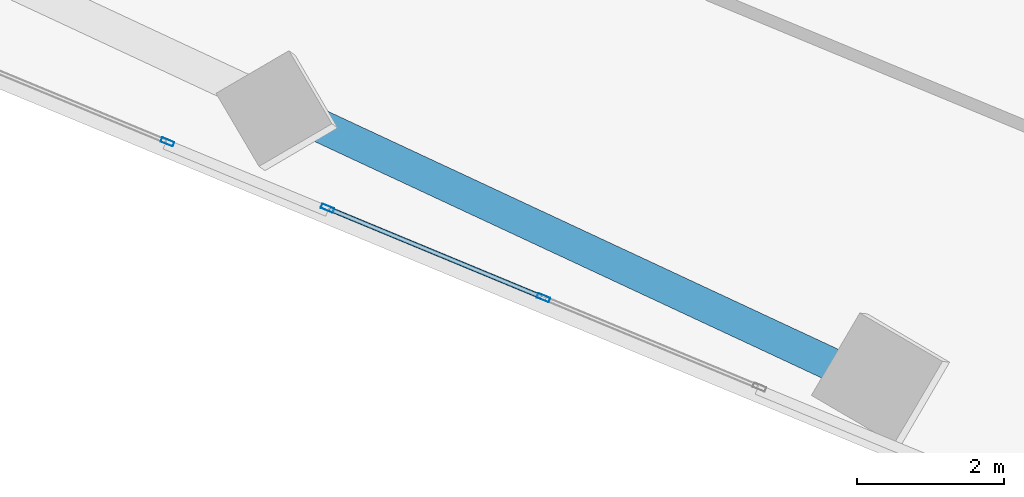
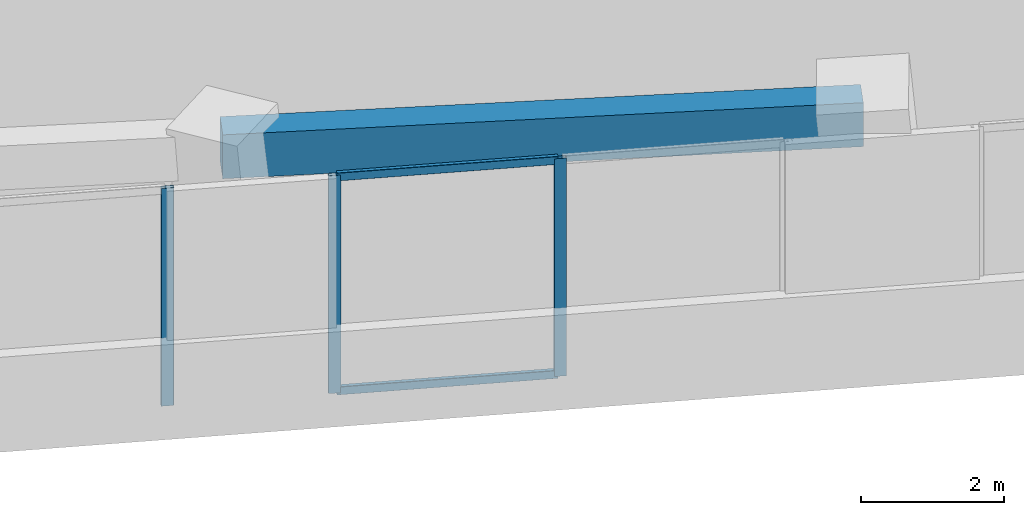
# One storey, part 2 of 22: 5 members, 1 beam, 2 elements without a shape of their own.
"""IFC4 building model written with IfcOpenShell, lengths in metres."""

from ifc_helpers import new_model, si_unit, direction, frame, origin, origin_2d, place, context, subcontext, project, spatial, rectangle, hollow_rectangle, extrude, source, transform, mapped, material, material_profile, profile_set, type_object, element, aggregate, save


model = new_model("IFC4")

# Units and contexts
model_context = context("Model", 3, precision=1e-05, world=origin(), true_north=direction((0.0, 1.0)))
body_context = subcontext(model_context, "Body", "Model", "MODEL_VIEW")
ifc_project = project(units=[si_unit("LENGTHUNIT", "METRE"), si_unit("AREAUNIT", "SQUARE_METRE"), si_unit("VOLUMEUNIT", "CUBIC_METRE"), si_unit("PLANEANGLEUNIT", "RADIAN"), si_unit("MASSUNIT", "GRAM", prefix="KILO")], contexts=[model_context])

# Site, building, storey
site_placement = place(None, origin())
site = spatial("IfcSite", under=ifc_project, at=site_placement, CompositionType="ELEMENT")
building_placement = place(site_placement, origin())
building = spatial("IfcBuilding", under=site, at=building_placement, Name="Torre Montelarca", CompositionType="ELEMENT")
storey_placement = place(building_placement, frame((0.0, 0.0, 149.800048828125)))
storey = spatial("IfcBuildingStorey", under=building, at=storey_placement, Name="L33", CompositionType="ELEMENT", Elevation=149.800048828125)

# Beam
ifc_material_1 = material(Name="Concrete C55/67", Category="concrete")
ifc_material_profile_1 = material_profile(ifc_material_1, rectangle(XDim=0.449951171875, YDim=0.75, at=origin_2d()), Name="RCB450X750", Category="concrete")
ifc_profile_set_1 = profile_set([ifc_material_profile_1], Name="Concrete C55/67")
beam_type = type_object("IfcBeamType", Name="BM-SP-RC750-EXT", PredefinedType="SPANDREL", material=ifc_profile_set_1)
shared_shape_1 = source(origin(), body_context, "Body", "SweptSolid", [
    extrude(rectangle(XDim=0.449951171875, YDim=0.75, at=origin_2d()), origin(), (0.0, 0.0, 1.0), 9.000244140625),
])
beam_placement = place(storey_placement, frame((11.058837890625, 17.890625, 3.5849609375), z_axis=(0.906316152515, -0.422600321452, 0.0), x_axis=(0.422600321452, 0.906316152515, 0.0)))
element("IfcBeam", 1, at=beam_placement, inside=storey, type_object=beam_type, Name="L33 Grid Girder X 18.0-27.0 at Y=14.8", PredefinedType="SPANDREL", context=body_context, shape_type="MappedRepresentation", body=[
    mapped(shared_shape_1, transform((0.0, 0.0, 0.0), scale=1.0)),
])

# Curtain wall, member
ifc_material_2 = material(Name="Insulated low-E laminated glass", Category="glass")
curtain_wall_type = type_object("IfcCurtainWallType", Name="CW-SYS-Z2", PredefinedType="USERDEFINED", material=ifc_material_2)
curtain_wall_1_placement = place(storey_placement, origin())
curtain_wall_1 = element("IfcCurtainWall", 2, at=curtain_wall_1_placement, inside=storey, type_object=curtain_wall_type, Name="L33 Curtain Wall Run CW-T3-L33-E01-B1", ObjectType="UNITISED GLAZING", PredefinedType="USERDEFINED")
ifc_material_3 = material(Name="Anodised aluminium AA 6063-T6", Category="aluminium")
ifc_material_profile_2 = material_profile(ifc_material_3, hollow_rectangle(XDim=0.06494140625, YDim=0.179931640625, WallThickness=0.00390625, InnerFilletRadius=0.00390625, OuterFilletRadius=0.008056640625, at=origin_2d()), Name="ALU65X180X4", Category="aluminium")
ifc_profile_set_2 = profile_set([ifc_material_profile_2], Name="Anodised aluminium AA 6063-T6")
member_type_1 = type_object("IfcMemberType", Name="CWM-ALU180", PredefinedType="MULLION", material=ifc_profile_set_2)
shared_shape_2 = source(origin(), body_context, "Body", "SweptSolid", [
    extrude(hollow_rectangle(XDim=0.06494140625, YDim=0.179931640625, WallThickness=0.00390625, InnerFilletRadius=0.00390625, OuterFilletRadius=0.008056640625, at=origin_2d()), origin(), (0.0, 0.0, 1.0), 3.719970703125),
])
member_1_placement = place(storey_placement, frame((9.82861328125, 17.275634765625, 0.0), z_axis=(0.0, 0.0, 1.0), x_axis=(0.382676732123, 0.923882307814, 0.0)))
member_1 = element("IfcMember", 3, at=member_1_placement, type_object=member_type_1, Name="CW mullion 3", PredefinedType="MULLION", context=body_context, shape_type="MappedRepresentation", body=[
    mapped(shared_shape_2, transform((0.0, 0.0, 0.0), scale=1.0)),
])
aggregate(curtain_wall_1, [member_1])

# Curtain wall, members
curtain_wall_2_placement = place(storey_placement, origin())
curtain_wall_2 = element("IfcCurtainWall", 4, at=curtain_wall_2_placement, inside=storey, type_object=curtain_wall_type, Name="L33 Curtain Wall Run CW-T3-L33-E01-B2", ObjectType="UNITISED GLAZING", PredefinedType="USERDEFINED")
member_2_placement = place(storey_placement, frame((12.010009765625, 16.3720703125, 0.0), z_axis=(0.0, 0.0, 1.0), x_axis=(0.382687643434, 0.923877788218, 0.0)))
member_2 = element("IfcMember", 5, at=member_2_placement, type_object=member_type_1, Name="CW mullion 1", PredefinedType="MULLION", context=body_context, shape_type="MappedRepresentation", body=[
    mapped(shared_shape_2, transform((0.0, 0.0, 0.0), scale=1.0)),
])
member_3_placement = place(storey_placement, frame((14.9521484375, 15.1533203125, 0.0), z_axis=(0.0, 0.0, 1.0), x_axis=(0.382687643434, 0.923877788218, 0.0)))
member_3 = element("IfcMember", 6, at=member_3_placement, type_object=member_type_1, Name="CW mullion 2", PredefinedType="MULLION", context=body_context, shape_type="MappedRepresentation", body=[
    mapped(shared_shape_2, transform((0.0, 0.0, 0.0), scale=1.0)),
])
ifc_material_profile_3 = material_profile(ifc_material_3, hollow_rectangle(XDim=0.06494140625, YDim=0.139892578125, WallThickness=0.00390625, InnerFilletRadius=0.00390625, OuterFilletRadius=0.008056640625, at=origin_2d()), Name="ALU65X140X4", Category="aluminium")
ifc_profile_set_3 = profile_set([ifc_material_profile_3], Name="Anodised aluminium AA 6063-T6")
member_type_2 = type_object("IfcMemberType", Name="CWT-ALU140", PredefinedType="USERDEFINED", material=ifc_profile_set_3)
shared_shape_3 = source(origin(), body_context, "Body", "SweptSolid", [
    extrude(hollow_rectangle(XDim=0.06494140625, YDim=0.139892578125, WallThickness=0.00390625, InnerFilletRadius=0.00390625, OuterFilletRadius=0.008056640625, at=origin_2d()), origin(), (0.0, 0.0, 1.0), 3.11962890625),
])
member_4_placement = place(storey_placement, frame((12.0400390625, 16.359619140625, 0.032470703125), z_axis=(0.923873752348, -0.382697386614, 0.0), x_axis=(0.382697386614, 0.923873752348, 0.0)))
member_4 = element("IfcMember", 7, at=member_4_placement, type_object=member_type_2, Name="CW transom 1.1", ObjectType="TRANSOM", PredefinedType="USERDEFINED", context=body_context, shape_type="MappedRepresentation", body=[
    mapped(shared_shape_3, transform((0.0, 0.0, 0.0), scale=1.0)),
])
member_5_placement = place(storey_placement, frame((12.0400390625, 16.359619140625, 3.6875), z_axis=(0.923873752348, -0.382697386614, 0.0), x_axis=(0.382697386614, 0.923873752348, 0.0)))
member_5 = element("IfcMember", 8, at=member_5_placement, type_object=member_type_2, Name="CW transom 1.2", ObjectType="TRANSOM", PredefinedType="USERDEFINED", context=body_context, shape_type="MappedRepresentation", body=[
    mapped(shared_shape_3, transform((0.0, 0.0, 0.0), scale=1.0)),
])
aggregate(curtain_wall_2, [member_2, member_3, member_4, member_5])

save(model, "model.ifc")
